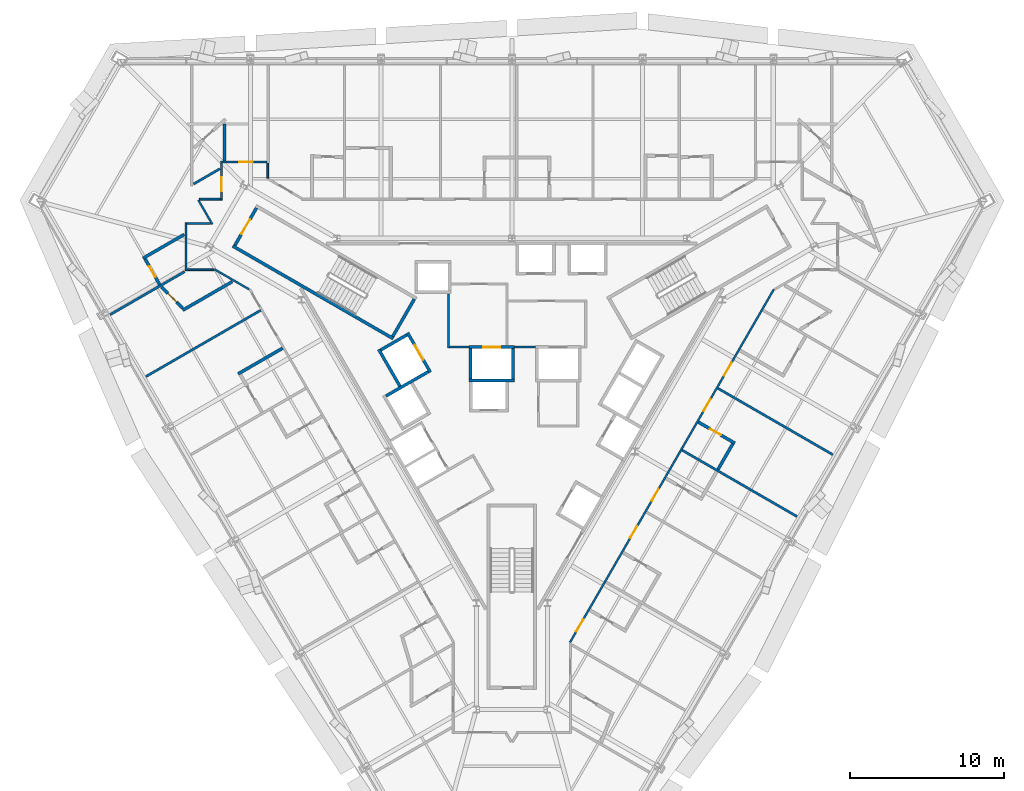
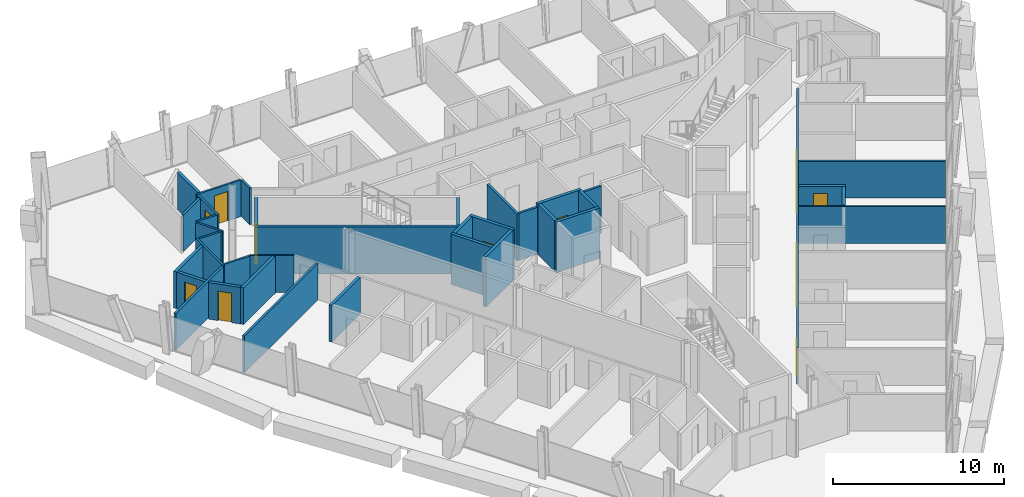
# One storey, part 10 of 15: 37 walls, 13 doors, 13 openings.
"""IFC4 building model written with IfcOpenShell, lengths in metres."""

from ifc_helpers import new_model, si_unit, direction, frame, frame_2d, origin, place, context, subcontext, project, spatial, rectangle, extrude, material, layer, layer_set, type_object, element, fill, save


model = new_model("IFC4")

# Units and contexts
model_context = context("Model", 3, precision=1e-05, world=origin(), true_north=direction((0.0, 1.0)))
body_context = subcontext(model_context, "Body", "Model", "MODEL_VIEW")
ifc_project = project(units=[si_unit("LENGTHUNIT", "METRE"), si_unit("AREAUNIT", "SQUARE_METRE"), si_unit("VOLUMEUNIT", "CUBIC_METRE"), si_unit("PLANEANGLEUNIT", "RADIAN"), si_unit("MASSUNIT", "GRAM", prefix="KILO")], contexts=[model_context])

# Site, building, storey
site_placement = place(None, origin())
site = spatial("IfcSite", under=ifc_project, at=site_placement, CompositionType="ELEMENT")
building_placement = place(site_placement, origin())
building = spatial("IfcBuilding", under=site, at=building_placement, Name="Verrane Prism Tower", CompositionType="ELEMENT")
storey_placement = place(building_placement, frame((0.0, 0.0, 44.0)))
storey = spatial("IfcBuildingStorey", under=building, at=storey_placement, Name="L08", CompositionType="ELEMENT", Elevation=44.0)

# Wall, opening, door
ifc_material_1 = material(Name="Concrete C40/50", Category="concrete")
ifc_layer_1 = layer(ifc_material_1, 0.199951171875)
ifc_layer_set_1 = layer_set([ifc_layer_1], Name="CW-200 stair core wall concrete C40/50 3 h")
wall_type_1 = type_object("IfcWallType", Name="CW-200 stair core wall concrete C40/50 3 h", PredefinedType="PARTITIONING", material=ifc_layer_set_1)
wall_1_placement = place(storey_placement, frame((-16.533935546875, 11.162353515625, 0.0), z_axis=(0.0, 0.0, 1.0), x_axis=(-0.49998411664, -0.866034573852, 0.0)))
wall_1 = element("IfcWall", 1, at=wall_1_placement, inside=storey, type_object=wall_type_1, Name="Stair 2 enclosure wall", PredefinedType="PARTITIONING", context=body_context, shape_type="SweptSolid", body=[
    extrude(rectangle(XDim=2.7998046875, YDim=0.199951171875, at=frame_2d((1.39990234375, 0.0))), origin(), (0.0, 0.0, 1.0), 3.35009765625),
])
opening_1_placement = place(wall_1_placement, frame((0.849853515625, 0.0, 0.0)))
opening_1 = element("IfcOpeningElement", 2, at=opening_1_placement, cuts=wall_1, Name="Opening D06501", PredefinedType="OPENING", context=body_context, shape_type="SweptSolid", body=[
    extrude(rectangle(XDim=1.10009765625, YDim=2.10009765625, at=frame_2d((0.550048828125, 1.050048828125))), frame((0.0, 0.10986328125, 0.0), z_axis=(0.0, -1.0, 0.0), x_axis=(1.0, 0.0, 0.0)), (0.0, 0.0, 1.0), 0.219970703125),
])
ifc_material_2 = material(Name="Timber veneered door leaf", Category="wood")
door_type_1 = type_object("IfcDoorType", Name="DR-1100x2100 FD90 single leaf stair", OperationType="NOTDEFINED", PredefinedType="DOOR", material=ifc_material_2)
door_1_placement = place(opening_1_placement, origin())
door_1 = element("IfcDoor", 3, at=door_1_placement, inside=storey, type_object=door_type_1, Name="Stair 2 door", OperationType="SINGLE_SWING_RIGHT", OverallHeight=2.10009765625, OverallWidth=1.10009765625, PredefinedType="DOOR", context=body_context, shape_type="SweptSolid", body=[
    extrude(rectangle(XDim=1.10009765625, YDim=2.10009765625, at=frame_2d((0.550048828125, 1.050048828125))), frame((0.0, 0.02490234375, 0.0), z_axis=(0.0, -1.0, 0.0), x_axis=(1.0, 0.0, 0.0)), (0.0, 0.0, 1.0), 0.050048828125),
])
fill(opening_1, door_1)

# Walls
wall_2_placement = place(storey_placement, frame((-7.67822265625, 2.700927734375, 0.0), z_axis=(0.0, 0.0, 1.0), x_axis=(-0.866026010844, 0.49999894854, 0.0)))
element("IfcWall", 4, at=wall_2_placement, inside=storey, type_object=wall_type_1, Name="Stair 2 enclosure wall", PredefinedType="PARTITIONING", context=body_context, shape_type="SweptSolid", body=[
    extrude(rectangle(XDim=12.0, YDim=0.199951171875, at=frame_2d((6.0, 0.0))), origin(), (0.0, 0.0, 1.0), 3.35009765625),
])
wall_3_placement = place(storey_placement, frame((-6.314697265625, 5.262451171875, 0.0), z_axis=(0.0, 0.0, 1.0), x_axis=(-0.500049511043, -0.865996816683, 0.0)))
element("IfcWall", 5, at=wall_3_placement, inside=storey, type_object=wall_type_1, Name="Stair 2 enclosure wall", PredefinedType="PARTITIONING", context=body_context, shape_type="SweptSolid", body=[
    extrude(rectangle(XDim=2.800048828125, YDim=0.199951171875, at=frame_2d((1.39990234375, 0.0))), origin(), (0.0, 0.0, 1.0), 3.35009765625),
])
ifc_material_3 = material(Name="Gypsum board shaft wall assembly", Category="other")
ifc_layer_2 = layer(ifc_material_3, 0.199951171875)
ifc_layer_set_2 = layer_set([ifc_layer_2], Name="HW-200 lift shaft wall 2 h")
wall_type_2 = type_object("IfcWallType", Name="HW-200 lift shaft wall 2 h", PredefinedType="PARTITIONING", material=ifc_layer_set_2)
wall_4_placement = place(storey_placement, frame((-2.784912109375, 0.0, 0.0), z_axis=(0.0, 0.0, 1.0), x_axis=(1.0, 0.0, 0.0)))
element("IfcWall", 6, at=wall_4_placement, inside=storey, type_object=wall_type_2, Name="Lift shaft wall", PredefinedType="PARTITIONING", context=body_context, shape_type="SweptSolid", body=[
    extrude(rectangle(XDim=2.949951171875, YDim=0.199951171875, at=frame_2d((1.47509765625, 0.0))), origin(), (0.0, 0.0, 1.0), 3.60009765625),
])

# Wall, opening, door
wall_5_placement = place(storey_placement, frame((-2.784912109375, 2.14990234375, 0.0), z_axis=(0.0, 0.0, 1.0), x_axis=(1.0, 0.0, 0.0)))
wall_5 = element("IfcWall", 7, at=wall_5_placement, inside=storey, type_object=wall_type_2, Name="Lift shaft wall", PredefinedType="PARTITIONING", context=body_context, shape_type="SweptSolid", body=[
    extrude(rectangle(XDim=2.949951171875, YDim=0.199951171875, at=frame_2d((1.47509765625, 0.0))), origin(), (0.0, 0.0, 1.0), 3.60009765625),
])
opening_2_placement = place(wall_5_placement, frame((0.925048828125, 0.0, 0.0)))
opening_2 = element("IfcOpeningElement", 8, at=opening_2_placement, cuts=wall_5, Name="Opening D06512", PredefinedType="OPENING", context=body_context, shape_type="SweptSolid", body=[
    extrude(rectangle(XDim=1.10009765625, YDim=2.10009765625, at=frame_2d((0.550048828125, 1.050048828125))), frame((0.0, 0.10986328125, 0.0), z_axis=(0.0, -1.0, 0.0), x_axis=(1.0, 0.0, 0.0)), (0.0, 0.0, 1.0), 0.219970703125),
])
ifc_material_4 = material(Name="Stainless steel sliding landing door", Category="steel")
door_type_2 = type_object("IfcDoorType", Name="LD-1100x2100 lift landing door FD90 sliding", OperationType="NOTDEFINED", PredefinedType="DOOR", material=ifc_material_4)
door_2_placement = place(opening_2_placement, origin())
door_2 = element("IfcDoor", 9, at=door_2_placement, inside=storey, type_object=door_type_2, Name="Fire service lift 1 landing door", OperationType="SLIDING_TO_LEFT", OverallHeight=2.10009765625, OverallWidth=1.10009765625, PredefinedType="DOOR", context=body_context, shape_type="SweptSolid", body=[
    extrude(rectangle(XDim=1.10009765625, YDim=2.10009765625, at=frame_2d((0.550048828125, 1.050048828125))), frame((0.0, 0.02490234375, 0.0), z_axis=(0.0, -1.0, 0.0), x_axis=(1.0, 0.0, 0.0)), (0.0, 0.0, 1.0), 0.050048828125),
])
fill(opening_2, door_2)

# Walls
wall_6_placement = place(storey_placement, frame((-8.14453125, -1.012939453125, 0.0), z_axis=(0.0, 0.0, 1.0), x_axis=(0.866016494683, 0.500015430699, 0.0)))
element("IfcWall", 10, at=wall_6_placement, inside=storey, type_object=wall_type_2, Name="Lift shaft wall", PredefinedType="PARTITIONING", context=body_context, shape_type="SweptSolid", body=[
    extrude(rectangle(XDim=3.14990234375, YDim=0.199951171875, at=frame_2d((1.574951171875, 0.0))), origin(), (0.0, 0.0, 1.0), 3.60009765625),
])
for number, where, z_axis, x_axis, name in (
    (11, (-8.48046875, 1.968505859375, 0.0), (0.0, 0.0, 1.0), (0.866000020948, 0.500043961785, 0.0), "Lift shaft wall"),
    (12, (0.06494140625, 0.10009765625, 0.0), (0.0, 0.0, 1.0), (0.0, 1.0, 0.0), "Lift shaft wall"),
    (13, (-2.68505859375, 0.10009765625, 0.0), (0.0, 0.0, 1.0), (0.0, 1.0, 0.0), "Lift shaft wall"),
):
    element("IfcWall", number, at=place(storey_placement, frame(where, z_axis=z_axis, x_axis=x_axis)), inside=storey, type_object=wall_type_2, Name=name, PredefinedType="PARTITIONING", context=body_context, shape_type="SweptSolid", body=[
        extrude(rectangle(XDim=1.949951171875, YDim=0.199951171875, at=frame_2d((0.97509765625, 0.0))), origin(), (0.0, 0.0, 1.0), 3.60009765625),
    ])

# Wall, opening, door
wall_7_placement = place(storey_placement, frame((-5.280029296875, 0.525390625, 0.0), z_axis=(0.0, 0.0, 1.0), x_axis=(-0.500037662692, 0.866003658127, 0.0)))
wall_7 = element("IfcWall", 14, at=wall_7_placement, inside=storey, type_object=wall_type_2, Name="Lift shaft wall", PredefinedType="PARTITIONING", context=body_context, shape_type="SweptSolid", body=[
    extrude(rectangle(XDim=2.949951171875, YDim=0.199951171875, at=frame_2d((1.47509765625, 0.0))), origin(), (0.0, 0.0, 1.0), 3.60009765625),
])
opening_3_placement = place(wall_7_placement, frame((0.925048828125, 0.0, 0.0)))
opening_3 = element("IfcOpeningElement", 15, at=opening_3_placement, cuts=wall_7, Name="Opening D06514", PredefinedType="OPENING", context=body_context, shape_type="SweptSolid", body=[
    extrude(rectangle(XDim=1.10009765625, YDim=2.10009765625, at=frame_2d((0.550048828125, 1.050048828125))), frame((0.0, 0.10986328125, 0.0), z_axis=(0.0, -1.0, 0.0), x_axis=(1.0, 0.0, 0.0)), (0.0, 0.0, 1.0), 0.219970703125),
])
door_3_placement = place(opening_3_placement, origin())
door_3 = element("IfcDoor", 16, at=door_3_placement, inside=storey, type_object=door_type_2, Name="Service lift 1 landing door", OperationType="SLIDING_TO_LEFT", OverallHeight=2.10009765625, OverallWidth=1.10009765625, PredefinedType="DOOR", context=body_context, shape_type="SweptSolid", body=[
    extrude(rectangle(XDim=1.10009765625, YDim=2.10009765625, at=frame_2d((0.550048828125, 1.050048828125))), frame((0.0, 0.02490234375, 0.0), z_axis=(0.0, -1.0, 0.0), x_axis=(1.0, 0.0, 0.0)), (0.0, 0.0, 1.0), 0.050048828125),
])
fill(opening_3, door_3)

# Walls
wall_8_placement = place(storey_placement, frame((-7.241943359375, -0.37646484375, 0.0), z_axis=(0.0, 0.0, 1.0), x_axis=(-0.499996545922, 0.866027397988, 0.0)))
element("IfcWall", 17, at=wall_8_placement, inside=storey, type_object=wall_type_2, Name="Lift shaft wall", PredefinedType="PARTITIONING", context=body_context, shape_type="SweptSolid", body=[
    extrude(rectangle(XDim=2.75, YDim=0.199951171875, at=frame_2d((1.375, 0.0))), origin(), (0.0, 0.0, 1.0), 3.60009765625),
])
ifc_material_5 = material(Name="Gypsum board partition", Category="other")
ifc_layer_3 = layer(ifc_material_5, 0.14990234375)
ifc_layer_set_3 = layer_set([ifc_layer_3], Name="LF-150 firefighting lobby wall 1 h")
wall_type_3 = type_object("IfcWallType", Name="LF-150 firefighting lobby wall 1 h", PredefinedType="PARTITIONING", material=ifc_layer_set_3)
wall_9_placement = place(storey_placement, frame((-4.10009765625, 2.0849609375, 0.0), z_axis=(0.0, 0.0, 1.0), x_axis=(0.0, 1.0, 0.0)))
element("IfcWall", 18, at=wall_9_placement, inside=storey, type_object=wall_type_3, Name="Firefighting lobby wall LF1-009", PredefinedType="PARTITIONING", context=body_context, shape_type="SweptSolid", body=[
    extrude(rectangle(XDim=3.52294921875, YDim=0.14990234375, at=frame_2d((1.761474609375, 0.0))), origin(), (0.0, 0.0, 1.0), 3.35009765625),
])
wall_10_placement = place(storey_placement, frame((-4.02490234375, 2.159912109375, 0.0), z_axis=(0.0, 0.0, 1.0), x_axis=(1.0, 0.0, 0.0)))
element("IfcWall", 19, at=wall_10_placement, inside=storey, type_object=wall_type_3, Name="Firefighting lobby wall LF1-010", PredefinedType="PARTITIONING", context=body_context, shape_type="SweptSolid", body=[
    extrude(rectangle(XDim=1.23779296875, YDim=0.14990234375, at=frame_2d((0.618896484375, 0.0))), origin(), (0.0, 0.0, 1.0), 3.35009765625),
])
wall_11_placement = place(storey_placement, frame((0.1669921875, 2.159912109375, 0.0), z_axis=(0.0, 0.0, 1.0), x_axis=(1.0, 0.0, 0.0)))
element("IfcWall", 20, at=wall_11_placement, inside=storey, type_object=wall_type_3, Name="Firefighting lobby wall LF1-014", PredefinedType="PARTITIONING", context=body_context, shape_type="SweptSolid", body=[
    extrude(rectangle(XDim=1.35595703125, YDim=0.14990234375, at=frame_2d((0.677978515625, 0.0))), origin(), (0.0, 0.0, 1.0), 3.35009765625),
])
ifc_material_6 = material(Name="Gypsum board partition", Category="other")
ifc_layer_4 = layer(ifc_material_6, 0.125)
ifc_layer_set_4 = layer_set([ifc_layer_4], Name="PW-125 corridor wall 1 h")
wall_type_4 = type_object("IfcWallType", Name="PW-125 corridor wall 1 h", PredefinedType="PARTITIONING", material=ifc_layer_set_4)
wall_12_placement = place(storey_placement, frame((-21.096923828125, 7.1005859375, 0.0), z_axis=(0.0, 0.0, 1.0), x_axis=(0.0, 1.0, 0.0)))
element("IfcWall", 21, at=wall_12_placement, inside=storey, type_object=wall_type_4, Name="Corridor wall 007", PredefinedType="PARTITIONING", context=body_context, shape_type="SweptSolid", body=[
    extrude(rectangle(XDim=3.118896484375, YDim=0.125, at=frame_2d((1.5595703125, 0.0))), origin(), (0.0, 0.0, 1.0), 2.613037109375),
])
wall_13_placement = place(storey_placement, frame((-21.031982421875, 7.1630859375, 0.0), z_axis=(0.0, 0.0, 1.0), x_axis=(1.0, 0.0, 0.0)))
element("IfcWall", 22, at=wall_13_placement, inside=storey, type_object=wall_type_4, Name="Corridor wall 008", PredefinedType="PARTITIONING", context=body_context, shape_type="SweptSolid", body=[
    extrude(rectangle(XDim=1.740966796875, YDim=0.125, at=frame_2d((0.87060546875, 0.0))), origin(), (0.0, 0.0, 1.0), 2.613037109375),
])
wall_14_placement = place(storey_placement, frame((-21.031982421875, 10.156982421875, 0.0), z_axis=(0.0, 0.0, 1.0), x_axis=(1.0, 0.0, 0.0)))
element("IfcWall", 23, at=wall_14_placement, inside=storey, type_object=wall_type_4, Name="Corridor wall 009", PredefinedType="PARTITIONING", context=body_context, shape_type="SweptSolid", body=[
    extrude(rectangle(XDim=1.506103515625, YDim=0.125, at=frame_2d((0.7529296875, 0.0))), origin(), (0.0, 0.0, 1.0), 2.613037109375),
])
wall_15_placement = place(storey_placement, frame((-20.29296875, 11.666015625, 0.0), z_axis=(0.0, 0.0, 1.0), x_axis=(0.500327160669, -0.865836435071, 0.0)))
element("IfcWall", 24, at=wall_15_placement, inside=storey, type_object=wall_type_4, Name="Corridor wall 014", PredefinedType="PARTITIONING", context=body_context, shape_type="SweptSolid", body=[
    extrude(rectangle(XDim=1.805419921875, YDim=0.125, at=frame_2d((0.90283203125, 0.0))), origin(), (0.0, 0.0, 1.0), 2.613037109375),
])
wall_16_placement = place(storey_placement, frame((-20.22998046875, 11.740966796875, 0.0), z_axis=(0.0, 0.0, 1.0), x_axis=(1.0, 0.0, 0.0)))
element("IfcWall", 25, at=wall_16_placement, inside=storey, type_object=wall_type_4, Name="Corridor wall 015", PredefinedType="PARTITIONING", context=body_context, shape_type="SweptSolid", body=[
    extrude(rectangle(XDim=1.367919921875, YDim=0.125, at=frame_2d((0.68408203125, 0.0))), origin(), (0.0, 0.0, 1.0), 2.613037109375),
])
wall_17_placement = place(storey_placement, frame((-19.260009765625, 7.1943359375, 0.0), z_axis=(0.0, 0.0, 1.0), x_axis=(0.865944638795, -0.50013986298, 0.0)))
element("IfcWall", 26, at=wall_17_placement, inside=storey, type_object=wall_type_4, Name="Corridor wall 016", PredefinedType="PARTITIONING", context=body_context, shape_type="SweptSolid", body=[
    extrude(rectangle(XDim=2.598876953125, YDim=0.125, at=frame_2d((1.29931640625, 0.0))), origin(), (0.0, 0.0, 1.0), 2.613037109375),
])

# Wall, opening, door
wall_18_placement = place(storey_placement, frame((-18.797119140625, 11.678466796875, 0.0), z_axis=(0.0, 0.0, 1.0), x_axis=(0.0, 1.0, 0.0)))
wall_18 = element("IfcWall", 27, at=wall_18_placement, inside=storey, type_object=wall_type_4, Name="Corridor wall 017", PredefinedType="PARTITIONING", context=body_context, shape_type="SweptSolid", body=[
    extrude(rectangle(XDim=2.3935546875, YDim=0.125, at=frame_2d((1.19677734375, 0.0))), origin(), (0.0, 0.0, 1.0), 2.613037109375),
])
opening_4_placement = place(wall_18_placement, frame((0.5625, 0.0, 0.0)))
opening_4 = element("IfcOpeningElement", 28, at=opening_4_placement, cuts=wall_18, Name="Opening D06017", PredefinedType="OPENING", context=body_context, shape_type="SweptSolid", body=[
    extrude(rectangle(XDim=0.89990234375, YDim=2.10009765625, at=frame_2d((0.449951171875, 1.050048828125))), frame((0.0, 0.072509765625, 0.0), z_axis=(0.0, -1.0, 0.0), x_axis=(1.0, 0.0, 0.0)), (0.0, 0.0, 1.0), 0.14501953125),
])
ifc_material_7 = material(Name="Timber veneered door leaf", Category="wood")
door_type_3 = type_object("IfcDoorType", Name="DR-900x2100 FD20 single leaf unit", OperationType="NOTDEFINED", PredefinedType="DOOR", material=ifc_material_7)
door_4_placement = place(opening_4_placement, origin())
door_4 = element("IfcDoor", 29, at=door_4_placement, inside=storey, type_object=door_type_3, Name="Corner Suite door", OperationType="SINGLE_SWING_LEFT", OverallHeight=2.10009765625, OverallWidth=0.89990234375, PredefinedType="DOOR", context=body_context, shape_type="SweptSolid", body=[
    extrude(rectangle(XDim=0.89990234375, YDim=2.10009765625, at=frame_2d((0.449951171875, 1.050048828125))), frame((0.0, 0.02490234375, 0.0), z_axis=(0.0, -1.0, 0.0), x_axis=(1.0, 0.0, 0.0)), (0.0, 0.0, 1.0), 0.050048828125),
])
fill(opening_4, door_4)

wall_19_placement = place(storey_placement, frame((-18.859619140625, 14.136962890625, 0.0), z_axis=(0.0, 0.0, 1.0), x_axis=(1.0, 0.0, 0.0)))
wall_19 = element("IfcWall", 30, at=wall_19_placement, inside=storey, type_object=wall_type_4, Name="Corridor wall 018", PredefinedType="PARTITIONING", context=body_context, shape_type="SweptSolid", body=[
    extrude(rectangle(XDim=3.004150390625, YDim=0.125, at=frame_2d((1.501953125, 0.0))), origin(), (0.0, 0.0, 1.0), 2.613037109375),
])
opening_5_placement = place(wall_19_placement, frame((1.194580078125, 0.0, 0.0)))
opening_5 = element("IfcOpeningElement", 31, at=opening_5_placement, cuts=wall_19, Name="Opening D06015", PredefinedType="OPENING", context=body_context, shape_type="SweptSolid", body=[
    extrude(rectangle(XDim=0.89990234375, YDim=2.10009765625, at=frame_2d((0.449951171875, 1.050048828125))), frame((0.0, 0.072509765625, 0.0), z_axis=(0.0, -1.0, 0.0), x_axis=(1.0, 0.0, 0.0)), (0.0, 0.0, 1.0), 0.14501953125),
])
door_5_placement = place(opening_5_placement, origin())
door_5 = element("IfcDoor", 32, at=door_5_placement, inside=storey, type_object=door_type_3, Name="Guest Room door", OperationType="SINGLE_SWING_LEFT", OverallHeight=2.10009765625, OverallWidth=0.89990234375, PredefinedType="DOOR", context=body_context, shape_type="SweptSolid", body=[
    extrude(rectangle(XDim=0.89990234375, YDim=2.10009765625, at=frame_2d((0.449951171875, 1.050048828125))), frame((0.0, 0.02490234375, 0.0), z_axis=(0.0, -1.0, 0.0), x_axis=(1.0, 0.0, 0.0)), (0.0, 0.0, 1.0), 0.050048828125),
])
fill(opening_5, door_5)

# Wall
wall_20_placement = place(storey_placement, frame((-15.802978515625, 13.090087890625, 0.0), z_axis=(0.0, 0.0, 1.0), x_axis=(0.0, 1.0, 0.0)))
element("IfcWall", 33, at=wall_20_placement, inside=storey, type_object=wall_type_4, Name="Corridor wall 025", PredefinedType="PARTITIONING", context=body_context, shape_type="SweptSolid", body=[
    extrude(rectangle(XDim=0.98193359375, YDim=0.125, at=frame_2d((0.490966796875, 0.0))), origin(), (0.0, 0.0, 1.0), 2.613037109375),
])

# Wall, openings, doors
wall_21_placement = place(storey_placement, frame((16.96728515625, 5.906005859375, 0.0), z_axis=(0.0, 0.0, 1.0), x_axis=(-0.500024758804, -0.866011108811, 0.0)))
wall_21 = element("IfcWall", 34, at=wall_21_placement, inside=storey, type_object=wall_type_4, Name="Corridor wall 062", PredefinedType="PARTITIONING", context=body_context, shape_type="SweptSolid", body=[
    extrude(rectangle(XDim=26.401611328125, YDim=0.125, at=frame_2d((13.20068359375, 0.0))), origin(), (0.0, 0.0, 1.0), 2.613037109375),
])
opening_6_placement = place(wall_21_placement, frame((24.689208984375, 0.0, 0.0)))
opening_6 = element("IfcOpeningElement", 35, at=opening_6_placement, cuts=wall_21, Name="Opening D06036", PredefinedType="OPENING", context=body_context, shape_type="SweptSolid", body=[
    extrude(rectangle(XDim=0.89990234375, YDim=2.10009765625, at=frame_2d((0.449951171875, 1.050048828125))), frame((0.0, 0.072509765625, 0.0), z_axis=(0.0, -1.0, 0.0), x_axis=(1.0, 0.0, 0.0)), (0.0, 0.0, 1.0), 0.14501953125),
])
opening_7_placement = place(wall_21_placement, frame((17.709228515625, 0.0, 0.0)))
opening_7 = element("IfcOpeningElement", 36, at=opening_7_placement, cuts=wall_21, Name="Opening D06038", PredefinedType="OPENING", context=body_context, shape_type="SweptSolid", body=[
    extrude(rectangle(XDim=0.89990234375, YDim=2.10009765625, at=frame_2d((0.449951171875, 1.050048828125))), frame((0.0, 0.072509765625, 0.0), z_axis=(0.0, -1.0, 0.0), x_axis=(1.0, 0.0, 0.0)), (0.0, 0.0, 1.0), 0.14501953125),
])
opening_8_placement = place(wall_21_placement, frame((14.92822265625, 0.0, 0.0)))
opening_8 = element("IfcOpeningElement", 37, at=opening_8_placement, cuts=wall_21, Name="Opening D06040", PredefinedType="OPENING", context=body_context, shape_type="SweptSolid", body=[
    extrude(rectangle(XDim=0.89990234375, YDim=2.10009765625, at=frame_2d((0.449951171875, 1.050048828125))), frame((0.0, 0.072509765625, 0.0), z_axis=(0.0, -1.0, 0.0), x_axis=(1.0, 0.0, 0.0)), (0.0, 0.0, 1.0), 0.14501953125),
])
opening_9_placement = place(wall_21_placement, frame((8.2001953125, 0.0, 0.0)))
opening_9 = element("IfcOpeningElement", 38, at=opening_9_placement, cuts=wall_21, Name="Opening D06042", PredefinedType="OPENING", context=body_context, shape_type="SweptSolid", body=[
    extrude(rectangle(XDim=0.89990234375, YDim=2.10009765625, at=frame_2d((0.449951171875, 1.050048828125))), frame((0.0, 0.072509765625, 0.0), z_axis=(0.0, -1.0, 0.0), x_axis=(1.0, 0.0, 0.0)), (0.0, 0.0, 1.0), 0.14501953125),
])
opening_10_placement = place(wall_21_placement, frame((5.473388671875, 0.0, 0.0)))
opening_10 = element("IfcOpeningElement", 39, at=opening_10_placement, cuts=wall_21, Name="Opening D06044", PredefinedType="OPENING", context=body_context, shape_type="SweptSolid", body=[
    extrude(rectangle(XDim=1.0, YDim=2.10009765625, at=frame_2d((0.5, 1.050048828125))), frame((0.0, 0.072509765625, 0.0), z_axis=(0.0, -1.0, 0.0), x_axis=(1.0, 0.0, 0.0)), (0.0, 0.0, 1.0), 0.14501953125),
])
ifc_material_8 = material(Name="Timber veneered door leaf", Category="wood")
door_type_4 = type_object("IfcDoorType", Name="DR-1000x2100 FD20 single leaf unit", OperationType="NOTDEFINED", PredefinedType="DOOR", material=ifc_material_8)
door_6_placement = place(opening_10_placement, origin())
door_6 = element("IfcDoor", 40, at=door_6_placement, inside=storey, type_object=door_type_4, Name="Accessible Guest Room door", OperationType="SINGLE_SWING_LEFT", OverallHeight=2.10009765625, OverallWidth=1.0, PredefinedType="DOOR", context=body_context, shape_type="SweptSolid", body=[
    extrude(rectangle(XDim=1.0, YDim=2.10009765625, at=frame_2d((0.5, 1.050048828125))), frame((0.0, 0.02490234375, 0.0), z_axis=(0.0, -1.0, 0.0), x_axis=(1.0, 0.0, 0.0)), (0.0, 0.0, 1.0), 0.050048828125),
])
fill(opening_10, door_6)
door_7_placement = place(opening_6_placement, origin())
door_7 = element("IfcDoor", 41, at=door_7_placement, inside=storey, type_object=door_type_3, Name="Guest Room door", OperationType="SINGLE_SWING_LEFT", OverallHeight=2.10009765625, OverallWidth=0.89990234375, PredefinedType="DOOR", context=body_context, shape_type="SweptSolid", body=[
    extrude(rectangle(XDim=0.89990234375, YDim=2.10009765625, at=frame_2d((0.449951171875, 1.050048828125))), frame((0.0, 0.02490234375, 0.0), z_axis=(0.0, -1.0, 0.0), x_axis=(1.0, 0.0, 0.0)), (0.0, 0.0, 1.0), 0.050048828125),
])
fill(opening_6, door_7)
door_8_placement = place(opening_7_placement, origin())
door_8 = element("IfcDoor", 42, at=door_8_placement, inside=storey, type_object=door_type_3, Name="Guest Room door", OperationType="SINGLE_SWING_LEFT", OverallHeight=2.10009765625, OverallWidth=0.89990234375, PredefinedType="DOOR", context=body_context, shape_type="SweptSolid", body=[
    extrude(rectangle(XDim=0.89990234375, YDim=2.10009765625, at=frame_2d((0.449951171875, 1.050048828125))), frame((0.0, 0.02490234375, 0.0), z_axis=(0.0, -1.0, 0.0), x_axis=(1.0, 0.0, 0.0)), (0.0, 0.0, 1.0), 0.050048828125),
])
fill(opening_7, door_8)
door_9_placement = place(opening_8_placement, origin())
door_9 = element("IfcDoor", 43, at=door_9_placement, inside=storey, type_object=door_type_3, Name="Guest Room door", OperationType="SINGLE_SWING_LEFT", OverallHeight=2.10009765625, OverallWidth=0.89990234375, PredefinedType="DOOR", context=body_context, shape_type="SweptSolid", body=[
    extrude(rectangle(XDim=0.89990234375, YDim=2.10009765625, at=frame_2d((0.449951171875, 1.050048828125))), frame((0.0, 0.02490234375, 0.0), z_axis=(0.0, -1.0, 0.0), x_axis=(1.0, 0.0, 0.0)), (0.0, 0.0, 1.0), 0.050048828125),
])
fill(opening_8, door_9)
door_10_placement = place(opening_9_placement, origin())
door_10 = element("IfcDoor", 44, at=door_10_placement, inside=storey, type_object=door_type_3, Name="Guest Room door", OperationType="SINGLE_SWING_LEFT", OverallHeight=2.10009765625, OverallWidth=0.89990234375, PredefinedType="DOOR", context=body_context, shape_type="SweptSolid", body=[
    extrude(rectangle(XDim=0.89990234375, YDim=2.10009765625, at=frame_2d((0.449951171875, 1.050048828125))), frame((0.0, 0.02490234375, 0.0), z_axis=(0.0, -1.0, 0.0), x_axis=(1.0, 0.0, 0.0)), (0.0, 0.0, 1.0), 0.050048828125),
])
fill(opening_9, door_10)

# Walls
ifc_material_9 = material(Name="Gypsum board partition", Category="other")
ifc_layer_5 = layer(ifc_material_9, 0.14990234375)
ifc_layer_set_5 = layer_set([ifc_layer_5], Name="PW-150 demising wall 1 h")
wall_type_5 = type_object("IfcWallType", Name="PW-150 demising wall 1 h", PredefinedType="PARTITIONING", material=ifc_layer_set_5)
wall_22_placement = place(storey_placement, frame((-26.005859375, 4.25390625, 0.0), z_axis=(0.0, 0.0, 1.0), x_axis=(0.865981654797, 0.500075767815, 0.0)))
element("IfcWall", 45, at=wall_22_placement, inside=storey, type_object=wall_type_5, Name="Demising wall 001", PredefinedType="PARTITIONING", context=body_context, shape_type="SweptSolid", body=[
    extrude(rectangle(XDim=5.562744140625, YDim=0.14990234375, at=frame_2d((2.78125, 0.0))), origin(), (0.0, 0.0, 1.0), 2.613037109375),
])
wall_23_placement = place(storey_placement, frame((-23.692626953125, 0.2470703125, 0.0), z_axis=(0.0, 0.0, 1.0), x_axis=(0.866031705461, 0.499989085017, 0.0)))
element("IfcWall", 46, at=wall_23_placement, inside=storey, type_object=wall_type_5, Name="Demising wall 004", PredefinedType="PARTITIONING", context=body_context, shape_type="SweptSolid", body=[
    extrude(rectangle(XDim=8.586669921875, YDim=0.14990234375, at=frame_2d((4.29345703125, 0.0))), origin(), (0.0, 0.0, 1.0), 2.613037109375),
])
wall_24_placement = place(storey_placement, frame((-20.602294921875, 12.717041015625, 0.0), z_axis=(0.0, 0.0, 1.0), x_axis=(0.866121584746, 0.499833372672, 0.0)))
element("IfcWall", 47, at=wall_24_placement, inside=storey, type_object=wall_type_5, Name="Demising wall 012", PredefinedType="PARTITIONING", context=body_context, shape_type="SweptSolid", body=[
    extrude(rectangle(XDim=1.968994140625, YDim=0.14990234375, at=frame_2d((0.984375, 0.0))), origin(), (0.0, 0.0, 1.0), 2.613037109375),
])
wall_25_placement = place(storey_placement, frame((11.021240234375, -4.517333984375, 0.0), z_axis=(0.0, 0.0, 1.0), x_axis=(0.866029425019, -0.499993034952, 0.0)))
element("IfcWall", 48, at=wall_25_placement, inside=storey, type_object=wall_type_5, Name="Demising wall 076", PredefinedType="PARTITIONING", context=body_context, shape_type="SweptSolid", body=[
    extrude(rectangle(XDim=8.59130859375, YDim=0.14990234375, at=frame_2d((4.295654296875, 0.0))), origin(), (0.0, 0.0, 1.0), 2.613037109375),
])
wall_26_placement = place(storey_placement, frame((13.335205078125, -0.51025390625, 0.0), z_axis=(0.0, 0.0, 1.0), x_axis=(0.865995804368, -0.50005126419, 0.0)))
element("IfcWall", 49, at=wall_26_placement, inside=storey, type_object=wall_type_5, Name="Demising wall 080", PredefinedType="PARTITIONING", context=body_context, shape_type="SweptSolid", body=[
    extrude(rectangle(XDim=8.5908203125, YDim=0.14990234375, at=frame_2d((4.29541015625, 0.0))), origin(), (0.0, 0.0, 1.0), 2.613037109375),
])

# Wall, opening, door
ifc_material_10 = material(Name="Gypsum board partition", Category="other")
ifc_layer_6 = layer(ifc_material_10, 0.199951171875)
ifc_layer_set_6 = layer_set([ifc_layer_6], Name="PW-200 plumbing wall")
wall_type_6 = type_object("IfcWallType", Name="PW-200 plumbing wall", PredefinedType="PARTITIONING", material=ifc_layer_set_6)
wall_27_placement = place(storey_placement, frame((-23.745361328125, 7.862548828125, 0.0), z_axis=(0.0, 0.0, 1.0), x_axis=(0.492970842961, -0.870045830971, 0.0)))
wall_27 = element("IfcWall", 50, at=wall_27_placement, inside=storey, type_object=wall_type_6, Name="Plumbing wall 002", PredefinedType="PARTITIONING", context=body_context, shape_type="SweptSolid", body=[
    extrude(rectangle(XDim=1.919189453125, YDim=0.199951171875, at=frame_2d((0.95947265625, 0.0))), origin(), (0.0, 0.0, 1.0), 2.613037109375),
])
opening_11_placement = place(wall_27_placement, frame((0.544921875, 0.0, 0.0)))
opening_11 = element("IfcOpeningElement", 51, at=opening_11_placement, cuts=wall_27, Name="Opening D06018", PredefinedType="OPENING", context=body_context, shape_type="SweptSolid", body=[
    extrude(rectangle(XDim=0.800048828125, YDim=2.10009765625, at=frame_2d((0.39990234375, 1.050048828125))), frame((0.0, 0.10986328125, 0.0), z_axis=(0.0, -1.0, 0.0), x_axis=(1.0, 0.0, 0.0)), (0.0, 0.0, 1.0), 0.219970703125),
])
ifc_material_11 = material(Name="Timber veneered door leaf", Category="wood")
door_type_5 = type_object("IfcDoorType", Name="DR-800x2100 single leaf bath", OperationType="NOTDEFINED", PredefinedType="DOOR", material=ifc_material_11)
door_11_placement = place(opening_11_placement, origin())
door_11 = element("IfcDoor", 52, at=door_11_placement, inside=storey, type_object=door_type_5, Name="En-Suite door", OperationType="SINGLE_SWING_RIGHT", OverallHeight=2.10009765625, OverallWidth=0.800048828125, PredefinedType="DOOR", context=body_context, shape_type="SweptSolid", body=[
    extrude(rectangle(XDim=0.800048828125, YDim=2.10009765625, at=frame_2d((0.39990234375, 1.050048828125))), frame((0.0, 0.02490234375, 0.0), z_axis=(0.0, -1.0, 0.0), x_axis=(1.0, 0.0, 0.0)), (0.0, 0.0, 1.0), 0.050048828125),
])
fill(opening_11, door_11)

# Wall
wall_28_placement = place(storey_placement, frame((-23.883544921875, 7.904052734375, 0.0), z_axis=(0.0, 0.0, 1.0), x_axis=(0.866015731669, 0.500016752221, 0.0)))
element("IfcWall", 53, at=wall_28_placement, inside=storey, type_object=wall_type_6, Name="Plumbing wall 003", PredefinedType="PARTITIONING", context=body_context, shape_type="SweptSolid", body=[
    extrude(rectangle(XDim=3.087890625, YDim=0.199951171875, at=frame_2d((1.5439453125, 0.0))), origin(), (0.0, 0.0, 1.0), 2.613037109375),
])

# Wall, opening, door
wall_29_placement = place(storey_placement, frame((-22.688232421875, 6.05322265625, 0.0), z_axis=(0.0, 0.0, 1.0), x_axis=(0.707106781187, -0.707106781187, 0.0)))
wall_29 = element("IfcWall", 54, at=wall_29_placement, inside=storey, type_object=wall_type_6, Name="Plumbing wall 005", PredefinedType="PARTITIONING", context=body_context, shape_type="SweptSolid", body=[
    extrude(rectangle(XDim=1.944091796875, YDim=0.199951171875, at=frame_2d((0.97216796875, 0.0))), origin(), (0.0, 0.0, 1.0), 2.613037109375),
])
opening_12_placement = place(wall_29_placement, frame((0.595458984375, 0.0, 0.0)))
opening_12 = element("IfcOpeningElement", 55, at=opening_12_placement, cuts=wall_29, Name="Opening D06020", PredefinedType="OPENING", context=body_context, shape_type="SweptSolid", body=[
    extrude(rectangle(XDim=0.800048828125, YDim=2.10009765625, at=frame_2d((0.39990234375, 1.050048828125))), frame((0.0, 0.10986328125, 0.0), z_axis=(0.0, -1.0, 0.0), x_axis=(1.0, 0.0, 0.0)), (0.0, 0.0, 1.0), 0.219970703125),
])
door_12_placement = place(opening_12_placement, origin())
door_12 = element("IfcDoor", 56, at=door_12_placement, inside=storey, type_object=door_type_5, Name="En-Suite door", OperationType="SINGLE_SWING_RIGHT", OverallHeight=2.10009765625, OverallWidth=0.800048828125, PredefinedType="DOOR", context=body_context, shape_type="SweptSolid", body=[
    extrude(rectangle(XDim=0.800048828125, YDim=2.10009765625, at=frame_2d((0.39990234375, 1.050048828125))), frame((0.0, 0.02490234375, 0.0), z_axis=(0.0, -1.0, 0.0), x_axis=(1.0, 0.0, 0.0)), (0.0, 0.0, 1.0), 0.050048828125),
])
fill(opening_12, door_12)

# Walls
wall_30_placement = place(storey_placement, frame((-21.3115234375, 4.5400390625, 0.0), z_axis=(0.0, 0.0, 1.0), x_axis=(0.866071583234, 0.499920006315, 0.0)))
element("IfcWall", 57, at=wall_30_placement, inside=storey, type_object=wall_type_6, Name="Plumbing wall 006", PredefinedType="PARTITIONING", context=body_context, shape_type="SweptSolid", body=[
    extrude(rectangle(XDim=3.70849609375, YDim=0.199951171875, at=frame_2d((1.854248046875, 0.0))), origin(), (0.0, 0.0, 1.0), 2.613037109375),
])
wall_31_placement = place(storey_placement, frame((-18.614990234375, 14.199462890625, 0.0), z_axis=(0.0, 0.0, 1.0), x_axis=(0.0, 1.0, 0.0)))
element("IfcWall", 58, at=wall_31_placement, inside=storey, type_object=wall_type_6, Name="Plumbing wall 019", PredefinedType="PARTITIONING", context=body_context, shape_type="SweptSolid", body=[
    extrude(rectangle(XDim=2.41259765625, YDim=0.199951171875, at=frame_2d((1.206298828125, 0.0))), origin(), (0.0, 0.0, 1.0), 2.613037109375),
])
wall_32_placement = place(storey_placement, frame((-17.724609375, 0.4189453125, 0.0), z_axis=(0.0, 0.0, 1.0), x_axis=(0.865960142641, 0.500113018585, 0.0)))
element("IfcWall", 59, at=wall_32_placement, inside=storey, type_object=wall_type_6, Name="Plumbing wall 022", PredefinedType="PARTITIONING", context=body_context, shape_type="SweptSolid", body=[
    extrude(rectangle(XDim=3.336669921875, YDim=0.199951171875, at=frame_2d((1.66845703125, 0.0))), origin(), (0.0, 0.0, 1.0), 2.613037109375),
])

# Wall, opening, door
wall_33_placement = place(storey_placement, frame((14.441650390625, -4.068115234375, 0.0), z_axis=(0.0, 0.0, 1.0), x_axis=(-0.865989529477, 0.500062130976, 0.0)))
wall_33 = element("IfcWall", 60, at=wall_33_placement, inside=storey, type_object=wall_type_6, Name="Plumbing wall 077", PredefinedType="PARTITIONING", context=body_context, shape_type="SweptSolid", body=[
    extrude(rectangle(XDim=2.737548828125, YDim=0.199951171875, at=frame_2d((1.36865234375, 0.0))), origin(), (0.0, 0.0, 1.0), 2.613037109375),
])
opening_13_placement = place(wall_33_placement, frame((1.0498046875, 0.0, 0.0)))
opening_13 = element("IfcOpeningElement", 61, at=opening_13_placement, cuts=wall_33, Name="Opening D06043", PredefinedType="OPENING", context=body_context, shape_type="SweptSolid", body=[
    extrude(rectangle(XDim=0.800048828125, YDim=2.10009765625, at=frame_2d((0.39990234375, 1.050048828125))), frame((0.0, 0.10986328125, 0.0), z_axis=(0.0, -1.0, 0.0), x_axis=(1.0, 0.0, 0.0)), (0.0, 0.0, 1.0), 0.219970703125),
])
door_13_placement = place(opening_13_placement, origin())
door_13 = element("IfcDoor", 62, at=door_13_placement, inside=storey, type_object=door_type_5, Name="En-Suite door", OperationType="SINGLE_SWING_RIGHT", OverallHeight=2.10009765625, OverallWidth=0.800048828125, PredefinedType="DOOR", context=body_context, shape_type="SweptSolid", body=[
    extrude(rectangle(XDim=0.800048828125, YDim=2.10009765625, at=frame_2d((0.39990234375, 1.050048828125))), frame((0.0, 0.02490234375, 0.0), z_axis=(0.0, -1.0, 0.0), x_axis=(1.0, 0.0, 0.0)), (0.0, 0.0, 1.0), 0.050048828125),
])
fill(opening_13, door_13)

# Wall
wall_34_placement = place(storey_placement, frame((13.345458984375, -5.76708984375, 0.0), z_axis=(0.0, 0.0, 1.0), x_axis=(0.499832553123, 0.866122057702, 0.0)))
element("IfcWall", 63, at=wall_34_placement, inside=storey, type_object=wall_type_6, Name="Plumbing wall 081", PredefinedType="PARTITIONING", context=body_context, shape_type="SweptSolid", body=[
    extrude(rectangle(XDim=1.919677734375, YDim=0.199951171875, at=frame_2d((0.9599609375, 0.0))), origin(), (0.0, 0.0, 1.0), 2.613037109375),
])

save(model, "model.ifc")
